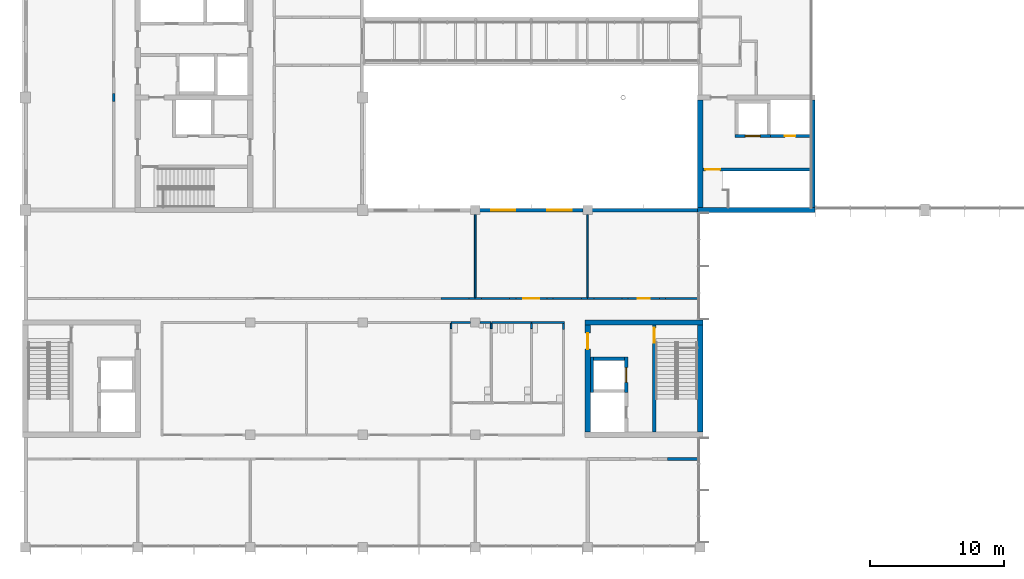
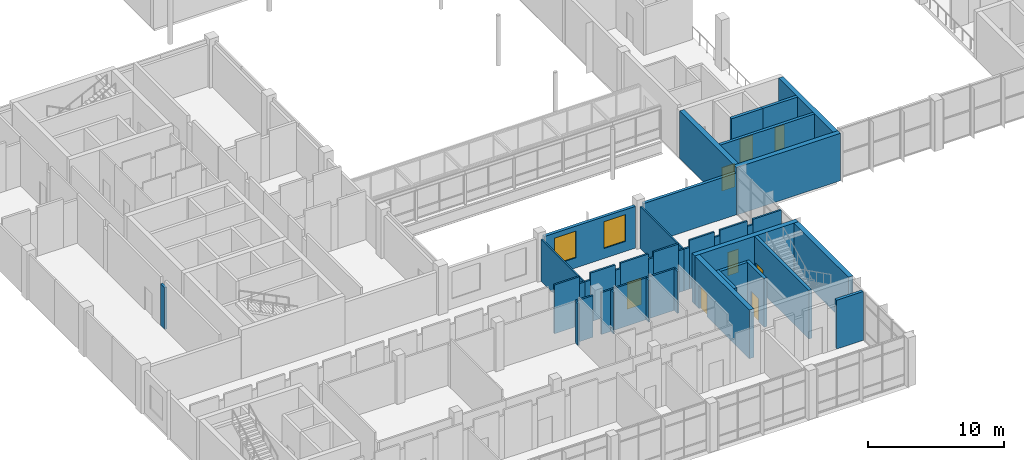
# One storey, part 34 of 70: 42 walls, 8 doors, 2 windows, 10 openings.
"""IFC4 building model written with IfcOpenShell, lengths in metres."""

from ifc_helpers import new_model, si_unit, direction, frame, frame_2d, origin, place, context, subcontext, project, spatial, rectangle, extrude, material, layer, layer_set, type_object, element, fill, save


model = new_model("IFC4")

# Units and contexts
model_context = context("Model", 3, precision=1e-05, world=origin(), true_north=direction((0.0, 1.0)))
body_context = subcontext(model_context, "Body", "Model", "MODEL_VIEW")
ifc_project = project(units=[si_unit("LENGTHUNIT", "METRE"), si_unit("AREAUNIT", "SQUARE_METRE"), si_unit("VOLUMEUNIT", "CUBIC_METRE"), si_unit("PLANEANGLEUNIT", "RADIAN"), si_unit("MASSUNIT", "GRAM", prefix="KILO")], contexts=[model_context])

# Site, building, storey
site_placement = place(None, origin())
site = spatial("IfcSite", under=ifc_project, at=site_placement, CompositionType="ELEMENT")
building_placement = place(site_placement, origin())
building = spatial("IfcBuilding", under=site, at=building_placement, Name="Hlaing Beacon Police Headquarters", CompositionType="ELEMENT")
storey_placement = place(building_placement, frame((0.0, 0.0, 5.39990234375)))
storey = spatial("IfcBuildingStorey", under=building, at=storey_placement, Name="L01", CompositionType="ELEMENT", Elevation=5.39990234375)

# Walls
ifc_material_1 = material(Name="Concrete C60/75", Category="concrete")
ifc_layer_1 = layer(ifc_material_1, 0.39990234375)
ifc_layer_set_1 = layer_set([ifc_layer_1], Name="Concrete C60/75")
wall_type_1 = type_object("IfcWallType", Name="Core shear wall 400", PredefinedType="SHEAR", material=ifc_layer_set_1)
wall_1_placement = place(storey_placement, frame((58.60009765625, 33.60009765625, 0.0), z_axis=(0.0, 0.0, 1.0), x_axis=(1.0, 0.0, 0.0)))
element("IfcWall", 1, at=wall_1_placement, inside=storey, type_object=wall_type_1, Name="Core shear wall", PredefinedType="SHEAR", context=body_context, shape_type="SweptSolid", body=[
    extrude(rectangle(XDim=8.7998046875, YDim=0.39990234375, at=frame_2d((4.39990234375, 0.0))), origin(), (0.0, 0.0, 1.0), 4.25),
])
for number, where, z_axis, x_axis, name in (
    (2, (58.800048828125, 33.800048828125, 0.0), (0.0, 0.0, 1.0), (0.0, 1.0, 0.0), "Core shear wall"),
    (3, (67.199951171875, 33.800048828125, 0.0), (0.0, 0.0, 1.0), (0.0, 1.0, 0.0), "Core shear wall"),
):
    element("IfcWall", number, at=place(storey_placement, frame(where, z_axis=z_axis, x_axis=x_axis)), inside=storey, type_object=wall_type_1, Name=name, PredefinedType="SHEAR", context=body_context, shape_type="SweptSolid", body=[
        extrude(rectangle(XDim=8.0, YDim=0.39990234375, at=frame_2d((4.0, 0.0))), origin(), (0.0, 0.0, 1.0), 4.25),
    ])
wall_2_placement = place(storey_placement, frame((50.199951171875, 25.199951171875, 0.0), z_axis=(0.0, 0.0, 1.0), x_axis=(1.0, 0.0, 0.0)))
element("IfcWall", 4, at=wall_2_placement, inside=storey, type_object=wall_type_1, Name="Core shear wall", PredefinedType="SHEAR", context=body_context, shape_type="SweptSolid", body=[
    extrude(rectangle(XDim=8.800048828125, YDim=0.39990234375, at=frame_2d((4.39990234375, 0.0))), origin(), (0.0, 0.0, 1.0), 4.3701171875),
])

# Wall, opening, door
wall_3_placement = place(storey_placement, frame((50.39990234375, 17.0, 0.0), z_axis=(0.0, 0.0, 1.0), x_axis=(0.0, 1.0, 0.0)))
wall_3 = element("IfcWall", 5, at=wall_3_placement, inside=storey, type_object=wall_type_1, Name="Core shear wall", PredefinedType="SHEAR", context=body_context, shape_type="SweptSolid", body=[
    extrude(rectangle(XDim=8.0, YDim=0.39990234375, at=frame_2d((4.0, 0.0))), origin(), (0.0, 0.0, 1.0), 4.3701171875),
])
opening_1_placement = place(wall_3_placement, frame((6.199951171875, 0.0, 0.0)))
opening_1 = element("IfcOpeningElement", 6, at=opening_1_placement, cuts=wall_3, Name="Opening L01-932", PredefinedType="OPENING", context=body_context, shape_type="SweptSolid", body=[
    extrude(rectangle(XDim=1.199951171875, YDim=2.10009765625, at=frame_2d((0.60009765625, 1.050048828125))), frame((0.0, 0.2099609375, 0.0), z_axis=(0.0, -1.0, 0.0), x_axis=(1.0, 0.0, 0.0)), (0.0, 0.0, 1.0), 0.419921875),
])
ifc_material_2 = material(Name="Steel fire door leaf", Category="steel")
ifc_layer_2 = layer(ifc_material_2, 0.070068359375)
ifc_layer_set_2 = layer_set([ifc_layer_2], Name="Steel fire door leaf")
door_type_1 = type_object("IfcDoorType", Name="Steel fire door FD60S 1200x2100", OperationType="SINGLE_SWING_LEFT", PredefinedType="DOOR", material=ifc_layer_set_2)
door_1_placement = place(opening_1_placement, frame((1.199951171875, 0.0, 0.0), z_axis=(0.0, 0.0, 1.0), x_axis=(-1.0, 0.0, 0.0)))
door_1 = element("IfcDoor", 7, at=door_1_placement, inside=storey, type_object=door_type_1, Name="Door Lift and Stair Lobby ST-K Entry", OperationType="SINGLE_SWING_LEFT", OverallHeight=2.10009765625, OverallWidth=1.199951171875, PredefinedType="DOOR", context=body_context, shape_type="SweptSolid", body=[
    extrude(rectangle(XDim=1.199951171875, YDim=2.10009765625, at=frame_2d((0.599853515625, 1.050048828125))), frame((0.0, 0.034912109375, 0.0), z_axis=(0.0, -1.0, 0.0), x_axis=(1.0, 0.0, 0.0)), (0.0, 0.0, 1.0), 0.070068359375),
])
fill(opening_1, door_1)

# Walls
wall_4_placement = place(storey_placement, frame((58.800048828125, 17.0, 0.0), z_axis=(0.0, 0.0, 1.0), x_axis=(0.0, 1.0, 0.0)))
element("IfcWall", 8, at=wall_4_placement, inside=storey, type_object=wall_type_1, Name="Core shear wall", PredefinedType="SHEAR", context=body_context, shape_type="SweptSolid", body=[
    extrude(rectangle(XDim=8.0, YDim=0.39990234375, at=frame_2d((4.0, 0.0))), origin(), (0.0, 0.0, 1.0), 4.3701171875),
])
ifc_material_3 = material(Name="Gypsum board partition")
ifc_layer_3 = layer(ifc_material_3, 0.14990234375)
ifc_layer_set_3 = layer_set([ifc_layer_3], Name="Gypsum board partition")
wall_type_2 = type_object("IfcWallType", Name="Corridor wall EI 30 150", PredefinedType="PARTITIONING", material=ifc_layer_set_3)
wall_5_placement = place(storey_placement, frame((46.199951171875, 25.199951171875, 0.0), z_axis=(0.0, 0.0, 1.0), x_axis=(1.0, 0.0, 0.0)))
element("IfcWall", 9, at=wall_5_placement, inside=storey, type_object=wall_type_2, Name="Corridor wall EI 30 150", PredefinedType="PARTITIONING", context=body_context, shape_type="SweptSolid", body=[
    extrude(rectangle(XDim=2.47509765625, YDim=0.14990234375, at=frame_2d((1.237548828125, 0.0))), origin(), (0.0, 0.0, 1.0), 3.74609375),
])
wall_6_placement = place(storey_placement, frame((48.60009765625, 24.6650390625, 0.0), z_axis=(0.0, 0.0, 1.0), x_axis=(0.0, 1.0, 0.0)))
element("IfcWall", 10, at=wall_6_placement, inside=storey, type_object=wall_type_2, Name="Corridor wall EI 30 150", PredefinedType="PARTITIONING", context=body_context, shape_type="SweptSolid", body=[
    extrude(rectangle(XDim=0.4599609375, YDim=0.14990234375, at=frame_2d((0.22998046875, 0.0))), origin(), (0.0, 0.0, 1.0), 3.74609375),
])
wall_7_placement = place(storey_placement, frame((43.199951171875, 25.199951171875, 0.0), z_axis=(0.0, 0.0, 1.0), x_axis=(1.0, 0.0, 0.0)))
element("IfcWall", 11, at=wall_7_placement, inside=storey, type_object=wall_type_2, Name="Corridor wall EI 30 150", PredefinedType="PARTITIONING", context=body_context, shape_type="SweptSolid", body=[
    extrude(rectangle(XDim=3.0, YDim=0.14990234375, at=frame_2d((1.5, 0.0))), origin(), (0.0, 0.0, 1.0), 3.74609375),
])
wall_8_placement = place(storey_placement, frame((40.199951171875, 25.199951171875, 0.0), z_axis=(0.0, 0.0, 1.0), x_axis=(1.0, 0.0, 0.0)))
element("IfcWall", 12, at=wall_8_placement, inside=storey, type_object=wall_type_2, Name="Corridor wall EI 30 150", PredefinedType="PARTITIONING", context=body_context, shape_type="SweptSolid", body=[
    extrude(rectangle(XDim=1.449951171875, YDim=0.14990234375, at=frame_2d((0.72509765625, 0.0))), origin(), (0.0, 0.0, 1.0), 3.74609375),
])
wall_9_placement = place(storey_placement, frame((42.35009765625, 25.199951171875, 0.0), z_axis=(0.0, 0.0, 1.0), x_axis=(1.0, 0.0, 0.0)))
element("IfcWall", 13, at=wall_9_placement, inside=storey, type_object=wall_type_2, Name="Corridor wall EI 30 150", PredefinedType="PARTITIONING", context=body_context, shape_type="SweptSolid", body=[
    extrude(rectangle(XDim=0.849853515625, YDim=0.14990234375, at=frame_2d((0.4248046875, 0.0))), origin(), (0.0, 0.0, 1.0), 3.74609375),
])
wall_10_placement = place(storey_placement, frame((39.429931640625, 27.0, 0.0), z_axis=(0.0, 0.0, 1.0), x_axis=(1.0, 0.0, 0.0)))
element("IfcWall", 14, at=wall_10_placement, inside=storey, type_object=wall_type_2, Name="Corridor wall EI 30 150", PredefinedType="PARTITIONING", context=body_context, shape_type="SweptSolid", body=[
    extrude(rectangle(XDim=2.110107421875, YDim=0.14990234375, at=frame_2d((1.05517578125, 0.0))), origin(), (0.0, 0.0, 1.0), 4.3701171875),
])
wall_11_placement = place(storey_placement, frame((41.5400390625, 27.0, 0.0), z_axis=(0.0, 0.0, 1.0), x_axis=(1.0, 0.0, 0.0)))
element("IfcWall", 15, at=wall_11_placement, inside=storey, type_object=wall_type_2, Name="Corridor wall EI 30 150", PredefinedType="PARTITIONING", context=body_context, shape_type="SweptSolid", body=[
    extrude(rectangle(XDim=0.4599609375, YDim=0.14990234375, at=frame_2d((0.22998046875, 0.0))), origin(), (0.0, 0.0, 1.0), 3.74609375),
])
wall_12_placement = place(storey_placement, frame((50.39990234375, 27.0, 0.0), z_axis=(0.0, 0.0, 1.0), x_axis=(1.0, 0.0, 0.0)))
element("IfcWall", 16, at=wall_12_placement, inside=storey, type_object=wall_type_2, Name="Corridor wall EI 30 150", PredefinedType="PARTITIONING", context=body_context, shape_type="SweptSolid", body=[
    extrude(rectangle(XDim=0.460205078125, YDim=0.14990234375, at=frame_2d((0.22998046875, 0.0))), origin(), (0.0, 0.0, 1.0), 3.74609375),
])
wall_13_placement = place(storey_placement, frame((50.860107421875, 27.0, 0.0), z_axis=(0.0, 0.0, 1.0), x_axis=(1.0, 0.0, 0.0)))
element("IfcWall", 17, at=wall_13_placement, inside=storey, type_object=wall_type_2, Name="Corridor wall EI 30 150", PredefinedType="PARTITIONING", context=body_context, shape_type="SweptSolid", body=[
    extrude(rectangle(XDim=2.10986328125, YDim=0.14990234375, at=frame_2d((1.054931640625, 0.0))), origin(), (0.0, 0.0, 1.0), 4.3701171875),
])
wall_14_placement = place(storey_placement, frame((52.969970703125, 27.0, 0.0), z_axis=(0.0, 0.0, 1.0), x_axis=(1.0, 0.0, 0.0)))
element("IfcWall", 18, at=wall_14_placement, inside=storey, type_object=wall_type_2, Name="Corridor wall EI 30 150", PredefinedType="PARTITIONING", context=body_context, shape_type="SweptSolid", body=[
    extrude(rectangle(XDim=0.4599609375, YDim=0.14990234375, at=frame_2d((0.22998046875, 0.0))), origin(), (0.0, 0.0, 1.0), 3.89501953125),
])

# Wall, opening, door
wall_15_placement = place(storey_placement, frame((53.429931640625, 27.0, 0.0), z_axis=(0.0, 0.0, 1.0), x_axis=(1.0, 0.0, 0.0)))
wall_15 = element("IfcWall", 19, at=wall_15_placement, inside=storey, type_object=wall_type_2, Name="Corridor wall EI 30 150", PredefinedType="PARTITIONING", context=body_context, shape_type="SweptSolid", body=[
    extrude(rectangle(XDim=2.340087890625, YDim=0.14990234375, at=frame_2d((1.169921875, 0.0))), origin(), (0.0, 0.0, 1.0), 4.3701171875),
])
opening_2_placement = place(wall_15_placement, frame((0.719970703125, 0.0, 0.0)))
opening_2 = element("IfcOpeningElement", 20, at=opening_2_placement, cuts=wall_15, Name="Opening L01-038", PredefinedType="OPENING", context=body_context, shape_type="SweptSolid", body=[
    extrude(rectangle(XDim=0.89990234375, YDim=2.10009765625, at=frame_2d((0.449951171875, 1.050048828125))), frame((0.0, 0.0849609375, 0.0), z_axis=(0.0, -1.0, 0.0), x_axis=(1.0, 0.0, 0.0)), (0.0, 0.0, 1.0), 0.169921875),
])
ifc_material_4 = material(Name="Hardwood door leaf", Category="wood")
ifc_layer_4 = layer(ifc_material_4, 0.050048828125)
ifc_layer_set_4 = layer_set([ifc_layer_4], Name="Hardwood door leaf")
door_type_2 = type_object("IfcDoorType", Name="Fire door FD30S 900x2100", OperationType="SINGLE_SWING_LEFT", PredefinedType="DOOR", material=ifc_layer_set_4)
door_2_placement = place(opening_2_placement, origin())
door_2 = element("IfcDoor", 21, at=door_2_placement, inside=storey, type_object=door_type_2, Name="Door Public Front Stores", OperationType="SINGLE_SWING_LEFT", OverallHeight=2.10009765625, OverallWidth=0.89990234375, PredefinedType="DOOR", context=body_context, shape_type="SweptSolid", body=[
    extrude(rectangle(XDim=0.89990234375, YDim=2.10009765625, at=frame_2d((0.449951171875, 1.050048828125))), frame((0.0, 0.02490234375, 0.0), z_axis=(0.0, -1.0, 0.0), x_axis=(1.0, 0.0, 0.0)), (0.0, 0.0, 1.0), 0.050048828125),
])
fill(opening_2, door_2)

# Walls
wall_16_placement = place(storey_placement, frame((55.77001953125, 27.0, 0.0), z_axis=(0.0, 0.0, 1.0), x_axis=(1.0, 0.0, 0.0)))
element("IfcWall", 22, at=wall_16_placement, inside=storey, type_object=wall_type_2, Name="Corridor wall EI 30 150", PredefinedType="PARTITIONING", context=body_context, shape_type="SweptSolid", body=[
    extrude(rectangle(XDim=0.4599609375, YDim=0.14990234375, at=frame_2d((0.22998046875, 0.0))), origin(), (0.0, 0.0, 1.0), 3.89501953125),
])
wall_17_placement = place(storey_placement, frame((56.22998046875, 27.0, 0.0), z_axis=(0.0, 0.0, 1.0), x_axis=(1.0, 0.0, 0.0)))
element("IfcWall", 23, at=wall_17_placement, inside=storey, type_object=wall_type_2, Name="Corridor wall EI 30 150", PredefinedType="PARTITIONING", context=body_context, shape_type="SweptSolid", body=[
    extrude(rectangle(XDim=2.419921875, YDim=0.14990234375, at=frame_2d((1.2099609375, 0.0))), origin(), (0.0, 0.0, 1.0), 4.3701171875),
])
wall_18_placement = place(storey_placement, frame((42.0, 27.0, 0.0), z_axis=(0.0, 0.0, 1.0), x_axis=(1.0, 0.0, 0.0)))
element("IfcWall", 24, at=wall_18_placement, inside=storey, type_object=wall_type_2, Name="Corridor wall EI 30 150", PredefinedType="PARTITIONING", context=body_context, shape_type="SweptSolid", body=[
    extrude(rectangle(XDim=0.4599609375, YDim=0.14990234375, at=frame_2d((0.22998046875, 0.0))), origin(), (0.0, 0.0, 1.0), 3.74609375),
])
wall_19_placement = place(storey_placement, frame((42.4599609375, 27.0, 0.0), z_axis=(0.0, 0.0, 1.0), x_axis=(1.0, 0.0, 0.0)))
element("IfcWall", 25, at=wall_19_placement, inside=storey, type_object=wall_type_2, Name="Corridor wall EI 30 150", PredefinedType="PARTITIONING", context=body_context, shape_type="SweptSolid", body=[
    extrude(rectangle(XDim=2.110107421875, YDim=0.14990234375, at=frame_2d((1.05517578125, 0.0))), origin(), (0.0, 0.0, 1.0), 4.3701171875),
])
wall_20_placement = place(storey_placement, frame((44.570068359375, 27.0, 0.0), z_axis=(0.0, 0.0, 1.0), x_axis=(1.0, 0.0, 0.0)))
element("IfcWall", 26, at=wall_20_placement, inside=storey, type_object=wall_type_2, Name="Corridor wall EI 30 150", PredefinedType="PARTITIONING", context=body_context, shape_type="SweptSolid", body=[
    extrude(rectangle(XDim=0.4599609375, YDim=0.14990234375, at=frame_2d((0.22998046875, 0.0))), origin(), (0.0, 0.0, 1.0), 3.89501953125),
])

# Wall, opening, door
wall_21_placement = place(storey_placement, frame((45.030029296875, 27.0, 0.0), z_axis=(0.0, 0.0, 1.0), x_axis=(1.0, 0.0, 0.0)))
wall_21 = element("IfcWall", 27, at=wall_21_placement, inside=storey, type_object=wall_type_2, Name="Corridor wall EI 30 150", PredefinedType="PARTITIONING", context=body_context, shape_type="SweptSolid", body=[
    extrude(rectangle(XDim=2.340087890625, YDim=0.14990234375, at=frame_2d((1.169921875, 0.0))), origin(), (0.0, 0.0, 1.0), 4.3701171875),
])
opening_3_placement = place(wall_21_placement, frame((0.570068359375, 0.0, 0.0)))
opening_3 = element("IfcOpeningElement", 28, at=opening_3_placement, cuts=wall_21, Name="Opening L01-039", PredefinedType="OPENING", context=body_context, shape_type="SweptSolid", body=[
    extrude(rectangle(XDim=1.199951171875, YDim=2.39990234375, at=frame_2d((0.60009765625, 1.199951171875))), frame((0.0, 0.0849609375, 0.0), z_axis=(0.0, -1.0, 0.0), x_axis=(1.0, 0.0, 0.0)), (0.0, 0.0, 1.0), 0.169921875),
])
ifc_material_5 = material(Name="Hardwood door leaf", Category="wood")
ifc_layer_5 = layer(ifc_material_5, 0.050048828125)
ifc_layer_set_5 = layer_set([ifc_layer_5], Name="Hardwood door leaf")
door_type_3 = type_object("IfcDoorType", Name="Fire public door FD30S 1200x2400", OperationType="SINGLE_SWING_LEFT", PredefinedType="DOOR", material=ifc_layer_set_5)
door_3_placement = place(opening_3_placement, origin())
door_3 = element("IfcDoor", 29, at=door_3_placement, inside=storey, type_object=door_type_3, Name="Door Meeting Room 4", OperationType="SINGLE_SWING_RIGHT", OverallHeight=2.39990234375, OverallWidth=1.199951171875, PredefinedType="DOOR", context=body_context, shape_type="SweptSolid", body=[
    extrude(rectangle(XDim=1.199951171875, YDim=2.39990234375, at=frame_2d((0.60009765625, 1.199951171875))), frame((0.0, 0.02490234375, 0.0), z_axis=(0.0, -1.0, 0.0), x_axis=(1.0, 0.0, 0.0)), (0.0, 0.0, 1.0), 0.050048828125),
])
fill(opening_3, door_3)

# Walls
wall_22_placement = place(storey_placement, frame((47.3701171875, 27.0, 0.0), z_axis=(0.0, 0.0, 1.0), x_axis=(1.0, 0.0, 0.0)))
element("IfcWall", 30, at=wall_22_placement, inside=storey, type_object=wall_type_2, Name="Corridor wall EI 30 150", PredefinedType="PARTITIONING", context=body_context, shape_type="SweptSolid", body=[
    extrude(rectangle(XDim=0.4599609375, YDim=0.14990234375, at=frame_2d((0.22998046875, 0.0))), origin(), (0.0, 0.0, 1.0), 3.89501953125),
])
wall_23_placement = place(storey_placement, frame((47.830078125, 27.0, 0.0), z_axis=(0.0, 0.0, 1.0), x_axis=(1.0, 0.0, 0.0)))
element("IfcWall", 31, at=wall_23_placement, inside=storey, type_object=wall_type_2, Name="Corridor wall EI 30 150", PredefinedType="PARTITIONING", context=body_context, shape_type="SweptSolid", body=[
    extrude(rectangle(XDim=2.10986328125, YDim=0.14990234375, at=frame_2d((1.054931640625, 0.0))), origin(), (0.0, 0.0, 1.0), 4.3701171875),
])
wall_24_placement = place(storey_placement, frame((49.93994140625, 27.0, 0.0), z_axis=(0.0, 0.0, 1.0), x_axis=(1.0, 0.0, 0.0)))
element("IfcWall", 32, at=wall_24_placement, inside=storey, type_object=wall_type_2, Name="Corridor wall EI 30 150", PredefinedType="PARTITIONING", context=body_context, shape_type="SweptSolid", body=[
    extrude(rectangle(XDim=0.4599609375, YDim=0.14990234375, at=frame_2d((0.22998046875, 0.0))), origin(), (0.0, 0.0, 1.0), 3.74609375),
])
ifc_material_6 = material(Name="Concrete blockwork 7.5 N/mm2", Category="masonry")
ifc_layer_6 = layer(ifc_material_6, 0.199951171875)
ifc_layer_set_6 = layer_set([ifc_layer_6], Name="Concrete blockwork 7.5 N/mm2")
wall_type_3 = type_object("IfcWallType", Name="Laboratory wall EI 60 200", PredefinedType="PARTITIONING", material=ifc_layer_set_6)
wall_25_placement = place(storey_placement, frame((15.0, 41.695068359375, 0.0), z_axis=(0.0, 0.0, 1.0), x_axis=(0.0, 1.0, 0.0)))
element("IfcWall", 33, at=wall_25_placement, inside=storey, type_object=wall_type_3, Name="Laboratory wall EI 60 200", PredefinedType="PARTITIONING", context=body_context, shape_type="SweptSolid", body=[
    extrude(rectangle(XDim=0.60986328125, YDim=0.199951171875, at=frame_2d((0.304931640625, 0.0))), origin(), (0.0, 0.0, 1.0), 3.74609375),
])
ifc_material_7 = material(Name="Gypsum board partition")
ifc_layer_7 = layer(ifc_material_7, 0.125)
ifc_layer_set_7 = layer_set([ifc_layer_7], Name="Gypsum board partition")
wall_type_4 = type_object("IfcWallType", Name="Partition 125", PredefinedType="PARTITIONING", material=ifc_layer_set_7)
for number, where, z_axis, x_axis, name in (
    (34, (40.199951171875, 24.739990234375, 0.0), (0.0, 0.0, 1.0), (0.0, 1.0, 0.0), "Partition 125"),
    (35, (46.199951171875, 24.739990234375, 0.0), (0.0, 0.0, 1.0), (0.0, 1.0, 0.0), "Partition 125"),
    (36, (43.199951171875, 24.739990234375, 0.0), (0.0, 0.0, 1.0), (0.0, 1.0, 0.0), "Partition 125"),
):
    element("IfcWall", number, at=place(storey_placement, frame(where, z_axis=z_axis, x_axis=x_axis)), inside=storey, type_object=wall_type_4, Name=name, PredefinedType="PARTITIONING", context=body_context, shape_type="SweptSolid", body=[
        extrude(rectangle(XDim=0.385009765625, YDim=0.125, at=frame_2d((0.1923828125, 0.0))), origin(), (0.0, 0.0, 1.0), 3.74609375),
    ])
for number, where, z_axis, x_axis, name in (
    (37, (42.0, 27.074951171875, 0.0), (0.0, 0.0, 1.0), (0.0, 1.0, 0.0), "Partition 125"),
    (38, (50.39990234375, 27.074951171875, 0.0), (0.0, 0.0, 1.0), (0.0, 1.0, 0.0), "Partition 125"),
):
    element("IfcWall", number, at=place(storey_placement, frame(where, z_axis=z_axis, x_axis=x_axis)), inside=storey, type_object=wall_type_4, Name=name, PredefinedType="PARTITIONING", context=body_context, shape_type="SweptSolid", body=[
        extrude(rectangle(XDim=6.175048828125, YDim=0.125, at=frame_2d((3.08740234375, 0.0))), origin(), (0.0, 0.0, 1.0), 3.74609375),
    ])
ifc_material_8 = material(Name="Concrete blockwork 7.5 N/mm2", Category="masonry")
ifc_layer_8 = layer(ifc_material_8, 0.25)
ifc_layer_set_8 = layer_set([ifc_layer_8], Name="Concrete blockwork 7.5 N/mm2")
wall_type_5 = type_object("IfcWallType", Name="Plant room wall EI 120 250", PredefinedType="PARTITIONING", material=ifc_layer_set_8)
wall_26_placement = place(storey_placement, frame((56.3798828125, 15.0, 0.0), z_axis=(0.0, 0.0, 1.0), x_axis=(1.0, 0.0, 0.0)))
element("IfcWall", 39, at=wall_26_placement, inside=storey, type_object=wall_type_5, Name="Plant room wall EI 120 250", PredefinedType="PARTITIONING", context=body_context, shape_type="SweptSolid", body=[
    extrude(rectangle(XDim=2.27001953125, YDim=0.25, at=frame_2d((1.135009765625, 0.0))), origin(), (0.0, 0.0, 1.0), 4.3701171875),
])
ifc_material_9 = material(Name="Concrete C40/50 precast ribbed cladding", Category="concrete")
ifc_layer_9 = layer(ifc_material_9, 0.25)
ifc_layer_set_9 = layer_set([ifc_layer_9], Name="Concrete C40/50 precast ribbed cladding")
wall_type_6 = type_object("IfcWallType", Name="Precast ribbed wall 250", PredefinedType="SOLIDWALL", material=ifc_layer_set_9)
wall_27_placement = place(storey_placement, frame((58.60009765625, 33.574951171875, 0.0), z_axis=(0.0, 0.0, 1.0), x_axis=(-1.0, 0.0, 0.0)))
element("IfcWall", 40, at=wall_27_placement, inside=storey, type_object=wall_type_6, Name="External wall L01 N013", PredefinedType="SOLIDWALL", context=body_context, shape_type="SweptSolid", body=[
    extrude(rectangle(XDim=7.8701171875, YDim=0.25, at=frame_2d((3.93505859375, 0.0))), origin(), (0.0, 0.0, 1.0), 3.74609375),
])

# Wall, openings, windows
wall_28_placement = place(storey_placement, frame((50.070068359375, 33.574951171875, 0.0), z_axis=(0.0, 0.0, 1.0), x_axis=(-1.0, 0.0, 0.0)))
wall_28 = element("IfcWall", 41, at=wall_28_placement, inside=storey, type_object=wall_type_6, Name="External wall L01 N014", PredefinedType="SOLIDWALL", context=body_context, shape_type="SweptSolid", body=[
    extrude(rectangle(XDim=7.739990234375, YDim=0.25, at=frame_2d((3.8701171875, 0.0))), origin(), (0.0, 0.0, 1.0), 3.74609375),
])
opening_4_placement = place(wall_28_placement, frame((0.8701171875, 0.0, 0.89990234375)))
opening_4 = element("IfcOpeningElement", 42, at=opening_4_placement, cuts=wall_28, Name="Opening WN17", PredefinedType="OPENING", context=body_context, shape_type="SweptSolid", body=[
    extrude(rectangle(XDim=1.800048828125, YDim=2.39990234375, at=frame_2d((0.89990234375, 1.199951171875))), frame((0.0, 0.135009765625, 0.0), z_axis=(0.0, -1.0, 0.0), x_axis=(1.0, 0.0, 0.0)), (0.0, 0.0, 1.0), 0.27001953125),
])
opening_5_placement = place(wall_28_placement, frame((5.070068359375, 0.0, 0.89990234375)))
opening_5 = element("IfcOpeningElement", 43, at=opening_5_placement, cuts=wall_28, Name="Opening WN17", PredefinedType="OPENING", context=body_context, shape_type="SweptSolid", body=[
    extrude(rectangle(XDim=1.800048828125, YDim=2.39990234375, at=frame_2d((0.89990234375, 1.199951171875))), frame((0.0, 0.135009765625, 0.0), z_axis=(0.0, -1.0, 0.0), x_axis=(1.0, 0.0, 0.0)), (0.0, 0.0, 1.0), 0.27001953125),
])
ifc_material_10 = material(Name="Aluminium frame with solar control glazing", Category="aluminium")
window_type = type_object("IfcWindowType", Name="Wide window 1800x2400 frame 60", PartitioningType="SINGLE_PANEL", PredefinedType="WINDOW", material=ifc_material_10)
window_1_placement = place(opening_4_placement, origin())
window_1 = element("IfcWindow", 44, at=window_1_placement, inside=storey, type_object=window_type, Name="Window L01 WM", OverallHeight=2.39990234375, OverallWidth=1.800048828125, PartitioningType="SINGLE_PANEL", PredefinedType="WINDOW", context=body_context, shape_type="SweptSolid", body=[
    extrude(rectangle(XDim=1.800048828125, YDim=2.39990234375, at=frame_2d((0.89990234375, 1.199951171875))), frame((0.0, 0.030029296875, 0.0), z_axis=(0.0, -1.0, 0.0), x_axis=(1.0, 0.0, 0.0)), (0.0, 0.0, 1.0), 0.06005859375),
])
fill(opening_4, window_1)
window_2_placement = place(opening_5_placement, origin())
window_2 = element("IfcWindow", 45, at=window_2_placement, inside=storey, type_object=window_type, Name="Window L01 WM", OverallHeight=2.39990234375, OverallWidth=1.800048828125, PartitioningType="SINGLE_PANEL", PredefinedType="WINDOW", context=body_context, shape_type="SweptSolid", body=[
    extrude(rectangle(XDim=1.800048828125, YDim=2.39990234375, at=frame_2d((0.89990234375, 1.199951171875))), frame((0.0, 0.030029296875, 0.0), z_axis=(0.0, -1.0, 0.0), x_axis=(1.0, 0.0, 0.0)), (0.0, 0.0, 1.0), 0.06005859375),
])
fill(opening_5, window_2)

# Wall, opening, door
ifc_material_11 = material(Name="Concrete C40/50", Category="concrete")
ifc_layer_10 = layer(ifc_material_11, 0.25)
ifc_layer_set_10 = layer_set([ifc_layer_10], Name="Concrete C40/50")
wall_type_7 = type_object("IfcWallType", Name="Shaft wall 250", PredefinedType="SOLIDWALL", material=ifc_layer_set_10)
wall_29_placement = place(storey_placement, frame((59.0, 36.625, 0.0), z_axis=(0.0, 0.0, 1.0), x_axis=(1.0, 0.0, 0.0)))
wall_29 = element("IfcWall", 46, at=wall_29_placement, inside=storey, type_object=wall_type_7, Name="Stair enclosure wall", PredefinedType="SOLIDWALL", context=body_context, shape_type="SweptSolid", body=[
    extrude(rectangle(XDim=8.0, YDim=0.25, at=frame_2d((4.0, 0.0))), origin(), (0.0, 0.0, 1.0), 4.25),
])
opening_6_placement = place(wall_29_placement, frame((0.199951171875, 0.0, 0.0)))
opening_6 = element("IfcOpeningElement", 47, at=opening_6_placement, cuts=wall_29, Name="Opening L01-903", PredefinedType="OPENING", context=body_context, shape_type="SweptSolid", body=[
    extrude(rectangle(XDim=1.10009765625, YDim=2.10009765625, at=frame_2d((0.550048828125, 1.050048828125))), frame((0.0, 0.135009765625, 0.0), z_axis=(0.0, -1.0, 0.0), x_axis=(1.0, 0.0, 0.0)), (0.0, 0.0, 1.0), 0.27001953125),
])
ifc_material_12 = material(Name="Steel fire door leaf", Category="steel")
ifc_layer_11 = layer(ifc_material_12, 0.070068359375)
ifc_layer_set_11 = layer_set([ifc_layer_11], Name="Steel fire door leaf")
door_type_4 = type_object("IfcDoorType", Name="Steel fire door FD60 1100x2100", OperationType="SINGLE_SWING_LEFT", PredefinedType="DOOR", material=ifc_layer_set_11)
door_4_placement = place(opening_6_placement, frame((1.10009765625, 0.0, 0.0), z_axis=(0.0, 0.0, 1.0), x_axis=(-1.0, 0.0, 0.0)))
door_4 = element("IfcDoor", 48, at=door_4_placement, inside=storey, type_object=door_type_4, Name="Door Stair ST-A", OperationType="SINGLE_SWING_LEFT", OverallHeight=2.10009765625, OverallWidth=1.10009765625, PredefinedType="DOOR", context=body_context, shape_type="SweptSolid", body=[
    extrude(rectangle(XDim=1.10009765625, YDim=2.10009765625, at=frame_2d((0.550048828125, 1.050048828125))), frame((0.0, 0.034912109375, 0.0), z_axis=(0.0, -1.0, 0.0), x_axis=(1.0, 0.0, 0.0)), (0.0, 0.0, 1.0), 0.070068359375),
])
fill(opening_6, door_4)

wall_30_placement = place(storey_placement, frame((64.050048828125, 39.125, 0.0), z_axis=(0.0, 0.0, 1.0), x_axis=(1.0, 0.0, 0.0)))
wall_30 = element("IfcWall", 49, at=wall_30_placement, inside=storey, type_object=wall_type_7, Name="Lobby wall", PredefinedType="SOLIDWALL", context=body_context, shape_type="SweptSolid", body=[
    extrude(rectangle(XDim=2.949951171875, YDim=0.25, at=frame_2d((1.47509765625, 0.0))), origin(), (0.0, 0.0, 1.0), 4.25),
])
opening_7_placement = place(wall_30_placement, frame((1.074951171875, 0.0, 0.0)))
opening_7 = element("IfcOpeningElement", 50, at=opening_7_placement, cuts=wall_30, Name="Opening L01-902", PredefinedType="OPENING", context=body_context, shape_type="SweptSolid", body=[
    extrude(rectangle(XDim=0.800048828125, YDim=2.10009765625, at=frame_2d((0.39990234375, 1.050048828125))), frame((0.0, 0.135009765625, 0.0), z_axis=(0.0, -1.0, 0.0), x_axis=(1.0, 0.0, 0.0)), (0.0, 0.0, 1.0), 0.27001953125),
])
ifc_material_13 = material(Name="Steel fire door leaf", Category="steel")
ifc_layer_12 = layer(ifc_material_13, 0.070068359375)
ifc_layer_set_12 = layer_set([ifc_layer_12], Name="Steel fire door leaf")
door_type_5 = type_object("IfcDoorType", Name="Steel fire door FD60 800x2100", OperationType="SINGLE_SWING_LEFT", PredefinedType="DOOR", material=ifc_layer_set_12)
door_5_placement = place(opening_7_placement, origin())
door_5 = element("IfcDoor", 51, at=door_5_placement, inside=storey, type_object=door_type_5, Name="Door Services Riser", OperationType="SINGLE_SWING_RIGHT", OverallHeight=2.10009765625, OverallWidth=0.800048828125, PredefinedType="DOOR", context=body_context, shape_type="SweptSolid", body=[
    extrude(rectangle(XDim=0.800048828125, YDim=2.10009765625, at=frame_2d((0.39990234375, 1.050048828125))), frame((0.0, 0.03515625, 0.0), z_axis=(0.0, -1.0, 0.0), x_axis=(1.0, 0.0, 0.0)), (0.0, 0.0, 1.0), 0.070068359375),
])
fill(opening_7, door_5)

wall_31_placement = place(storey_placement, frame((55.375, 25.0, 0.0), z_axis=(0.0, 0.0, 1.0), x_axis=(0.0, -1.0, 0.0)))
wall_31 = element("IfcWall", 52, at=wall_31_placement, inside=storey, type_object=wall_type_7, Name="Stair enclosure wall", PredefinedType="SOLIDWALL", context=body_context, shape_type="SweptSolid", body=[
    extrude(rectangle(XDim=8.0, YDim=0.25, at=frame_2d((4.0, 0.0))), origin(), (0.0, 0.0, 1.0), 4.3701171875),
])
opening_8_placement = place(wall_31_placement, frame((0.199951171875, 0.0, 0.0)))
opening_8 = element("IfcOpeningElement", 53, at=opening_8_placement, cuts=wall_31, Name="Opening L01-934", PredefinedType="OPENING", context=body_context, shape_type="SweptSolid", body=[
    extrude(rectangle(XDim=1.10009765625, YDim=2.10009765625, at=frame_2d((0.550048828125, 1.050048828125))), frame((0.0, 0.135009765625, 0.0), z_axis=(0.0, -1.0, 0.0), x_axis=(1.0, 0.0, 0.0)), (0.0, 0.0, 1.0), 0.27001953125),
])
door_6_placement = place(opening_8_placement, origin())
door_6 = element("IfcDoor", 54, at=door_6_placement, inside=storey, type_object=door_type_4, Name="Door Stair ST-K", OperationType="SINGLE_SWING_RIGHT", OverallHeight=2.10009765625, OverallWidth=1.10009765625, PredefinedType="DOOR", context=body_context, shape_type="SweptSolid", body=[
    extrude(rectangle(XDim=1.10009765625, YDim=2.10009765625, at=frame_2d((0.550048828125, 1.050048828125))), frame((0.0, 0.03515625, 0.0), z_axis=(0.0, -1.0, 0.0), x_axis=(1.0, 0.0, 0.0)), (0.0, 0.0, 1.0), 0.070068359375),
])
fill(opening_8, door_6)

wall_32_placement = place(storey_placement, frame((61.39990234375, 39.125, 0.0), z_axis=(0.0, 0.0, 1.0), x_axis=(1.0, 0.0, 0.0)))
wall_32 = element("IfcWall", 55, at=wall_32_placement, inside=storey, type_object=wall_type_7, Name="Lift shaft wall PL1", PredefinedType="SOLIDWALL", context=body_context, shape_type="SweptSolid", body=[
    extrude(rectangle(XDim=2.650146484375, YDim=0.25, at=frame_2d((1.3251953125, 0.0))), origin(), (0.0, 0.0, 1.0), 4.25),
])
opening_9_placement = place(wall_32_placement, frame((0.77490234375, 0.0, 0.0)))
opening_9 = element("IfcOpeningElement", 56, at=opening_9_placement, cuts=wall_32, Name="Opening LD-PL1-L01", PredefinedType="OPENING", context=body_context, shape_type="SweptSolid", body=[
    extrude(rectangle(XDim=1.10009765625, YDim=2.10009765625, at=frame_2d((0.550048828125, 1.050048828125))), frame((0.0, 0.135009765625, 0.0), z_axis=(0.0, -1.0, 0.0), x_axis=(1.0, 0.0, 0.0)), (0.0, 0.0, 1.0), 0.27001953125),
])
ifc_material_14 = material(Name="Stainless steel lift landing door", Category="steel")
ifc_layer_13 = layer(ifc_material_14, 0.06005859375)
ifc_layer_set_13 = layer_set([ifc_layer_13], Name="Stainless steel lift landing door")
door_type_6 = type_object("IfcDoorType", Name="Lift landing door 1100x2100", OperationType="DOUBLE_DOOR_SLIDING", PredefinedType="DOOR", material=ifc_layer_set_13)
door_7_placement = place(opening_9_placement, origin())
door_7 = element("IfcDoor", 57, at=door_7_placement, inside=storey, type_object=door_type_6, Name="Landing door PL1 L01", OperationType="DOUBLE_DOOR_SLIDING", OverallHeight=2.10009765625, OverallWidth=1.10009765625, PredefinedType="DOOR", context=body_context, shape_type="SweptSolid", body=[
    extrude(rectangle(XDim=1.10009765625, YDim=2.10009765625, at=frame_2d((0.550048828125, 1.050048828125))), frame((0.0, 0.0400390625, 0.0), z_axis=(0.0, -1.0, 0.0), x_axis=(1.0, 0.0, 0.0)), (0.0, 0.0, 1.0), 0.080078125),
])
fill(opening_9, door_7)

wall_33_placement = place(storey_placement, frame((53.27490234375, 19.949951171875, 0.0), z_axis=(0.0, 0.0, 1.0), x_axis=(0.0, 1.0, 0.0)))
wall_33 = element("IfcWall", 58, at=wall_33_placement, inside=storey, type_object=wall_type_7, Name="Lift shaft wall PL6", PredefinedType="SOLIDWALL", context=body_context, shape_type="SweptSolid", body=[
    extrude(rectangle(XDim=2.650146484375, YDim=0.25, at=frame_2d((1.3251953125, 0.0))), origin(), (0.0, 0.0, 1.0), 4.3701171875),
])
opening_10_placement = place(wall_33_placement, frame((0.77490234375, 0.0, 0.0)))
opening_10 = element("IfcOpeningElement", 59, at=opening_10_placement, cuts=wall_33, Name="Opening LD-PL6-L01", PredefinedType="OPENING", context=body_context, shape_type="SweptSolid", body=[
    extrude(rectangle(XDim=1.10009765625, YDim=2.10009765625, at=frame_2d((0.550048828125, 1.050048828125))), frame((0.0, 0.135009765625, 0.0), z_axis=(0.0, -1.0, 0.0), x_axis=(1.0, 0.0, 0.0)), (0.0, 0.0, 1.0), 0.27001953125),
])
door_8_placement = place(opening_10_placement, origin())
door_8 = element("IfcDoor", 60, at=door_8_placement, inside=storey, type_object=door_type_6, Name="Landing door PL6 L01", OperationType="DOUBLE_DOOR_SLIDING", OverallHeight=2.10009765625, OverallWidth=1.10009765625, PredefinedType="DOOR", context=body_context, shape_type="SweptSolid", body=[
    extrude(rectangle(XDim=1.10009765625, YDim=2.10009765625, at=frame_2d((0.550048828125, 1.050048828125))), frame((0.0, 0.0400390625, 0.0), z_axis=(0.0, -1.0, 0.0), x_axis=(1.0, 0.0, 0.0)), (0.0, 0.0, 1.0), 0.080078125),
])
fill(opening_10, door_8)

# Walls
wall_34_placement = place(storey_placement, frame((50.85009765625, 22.47509765625, 0.0), z_axis=(0.0, 0.0, 1.0), x_axis=(1.0, 0.0, 0.0)))
element("IfcWall", 61, at=wall_34_placement, inside=storey, type_object=wall_type_7, Name="Lift shaft wall PL6", PredefinedType="SOLIDWALL", context=body_context, shape_type="SweptSolid", body=[
    extrude(rectangle(XDim=2.2998046875, YDim=0.25, at=frame_2d((1.14990234375, 0.0))), origin(), (0.0, 0.0, 1.0), 4.3701171875),
])
wall_35_placement = place(storey_placement, frame((50.72509765625, 19.949951171875, 0.0), z_axis=(0.0, 0.0, 1.0), x_axis=(0.0, 1.0, 0.0)))
element("IfcWall", 62, at=wall_35_placement, inside=storey, type_object=wall_type_7, Name="Lift shaft wall PL6", PredefinedType="SOLIDWALL", context=body_context, shape_type="SweptSolid", body=[
    extrude(rectangle(XDim=2.650146484375, YDim=0.25, at=frame_2d((1.3251953125, 0.0))), origin(), (0.0, 0.0, 1.0), 4.3701171875),
])

save(model, "model.ifc")
